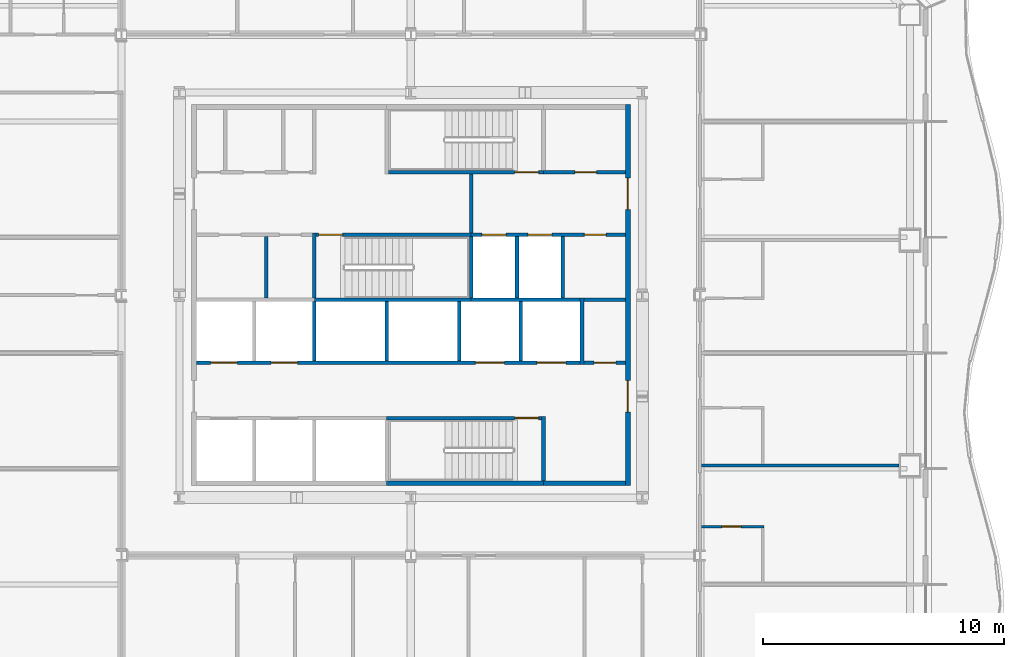
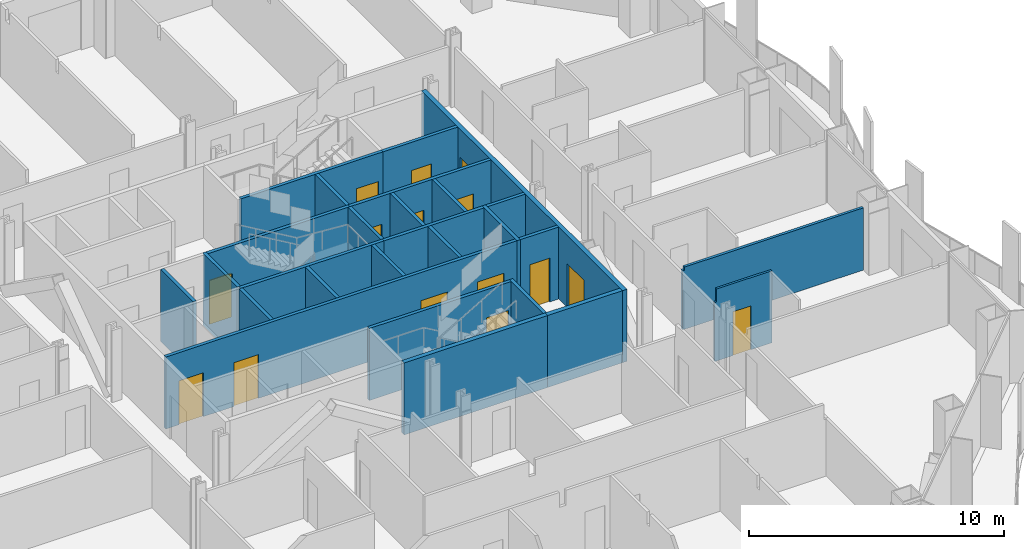
# One storey, part 10 of 18: 27 walls, 15 doors, 15 openings.
"""IFC4 building model written with IfcOpenShell, lengths in metres."""

from ifc_helpers import new_model, si_unit, direction, frame, frame_2d, origin, place, context, subcontext, project, spatial, polyline, rectangle, outline, extrude, material, layer, layer_set, type_object, element, fill, save


model = new_model("IFC4")

# Units and contexts
model_context = context("Model", 3, precision=1e-05, world=origin(), true_north=direction((0.0, 1.0)))
body_context = subcontext(model_context, "Body", "Model", "MODEL_VIEW")
ifc_project = project(units=[si_unit("LENGTHUNIT", "METRE"), si_unit("AREAUNIT", "SQUARE_METRE"), si_unit("VOLUMEUNIT", "CUBIC_METRE"), si_unit("PLANEANGLEUNIT", "RADIAN"), si_unit("MASSUNIT", "GRAM", prefix="KILO")], contexts=[model_context])

# Site, building, storey
site_placement = place(None, origin())
site = spatial("IfcSite", under=ifc_project, at=site_placement, CompositionType="ELEMENT")
building_placement = place(site_placement, origin())
building = spatial("IfcBuilding", under=site, at=building_placement, Name="Cairn Pilgrim Tower", CompositionType="ELEMENT")
storey_placement = place(building_placement, frame((0.0, 0.0, 65.39990234375)))
storey = spatial("IfcBuildingStorey", under=building, at=storey_placement, Name="L14", CompositionType="ELEMENT", Elevation=65.39990234375)

# Wall
ifc_material_1 = material(Name="Concrete C32/40", Category="concrete")
ifc_layer_1 = layer(ifc_material_1, 0.199951171875)
ifc_layer_set_1 = layer_set([ifc_layer_1], Name="CORE OUTER WALL 200 EI 120")
wall_type_1 = type_object("IfcWallType", Name="CORE OUTER WALL 200 EI 120", PredefinedType="SOLIDWALL", material=ifc_layer_set_1)
wall_1_placement = place(storey_placement, frame((12.699951171875, -5.39990234375, 0.0), z_axis=(0.0, 0.0, 1.0), x_axis=(1.0, 0.0, 0.0)))
element("IfcWall", 1, at=wall_1_placement, inside=storey, type_object=wall_type_1, Name="CW:L14:H01-3", PredefinedType="SOLIDWALL", context=body_context, shape_type="SweptSolid", body=[
    extrude(rectangle(XDim=3.400146484375, YDim=0.199951171875, at=frame_2d((1.7001953125, 0.0))), origin(), (0.0, 0.0, 1.0), 3.4501953125),
])

# Wall, openings, doors
wall_2_placement = place(storey_placement, frame((16.199951171875, -5.5, 0.0), z_axis=(0.0, 0.0, 1.0), x_axis=(0.0, 1.0, 0.0)))
wall_2 = element("IfcWall", 2, at=wall_2_placement, inside=storey, type_object=wall_type_1, Name="CW:L14:V34", PredefinedType="SOLIDWALL", context=body_context, shape_type="SweptSolid", body=[
    extrude(rectangle(XDim=15.800048828125, YDim=0.199951171875, at=frame_2d((7.89990234375, 0.0))), origin(), (0.0, 0.0, 1.0), 3.4501953125),
])
opening_1_placement = place(wall_2_placement, frame((3.050048828125, 0.0, 0.0)))
opening_1 = element("IfcOpeningElement", 3, at=opening_1_placement, cuts=wall_2, Name="Opening CD-E1", PredefinedType="OPENING", context=body_context, shape_type="SweptSolid", body=[
    extrude(rectangle(XDim=1.300048828125, YDim=2.10009765625, at=frame_2d((0.64990234375, 1.050048828125))), frame((0.0, 0.10986328125, 0.0), z_axis=(0.0, -1.0, 0.0), x_axis=(1.0, 0.0, 0.0)), (0.0, 0.0, 1.0), 0.219970703125),
])
opening_2_placement = place(wall_2_placement, frame((11.449951171875, 0.0, 0.0)))
opening_2 = element("IfcOpeningElement", 4, at=opening_2_placement, cuts=wall_2, Name="Opening CD-E2", PredefinedType="OPENING", context=body_context, shape_type="SweptSolid", body=[
    extrude(rectangle(XDim=1.300048828125, YDim=2.10009765625, at=frame_2d((0.64990234375, 1.050048828125))), frame((0.0, 0.10986328125, 0.0), z_axis=(0.0, -1.0, 0.0), x_axis=(1.0, 0.0, 0.0)), (0.0, 0.0, 1.0), 0.219970703125),
])
ifc_material_2 = material(Name="Painted steel", Category="steel")
door_type_1 = type_object("IfcDoorType", Name="CORE LOBBY DOOR 1300x2100", OperationType="DOUBLE_DOOR_SINGLE_SWING", PredefinedType="DOOR", material=ifc_material_2)
door_1_placement = place(opening_1_placement, origin())
door_1 = element("IfcDoor", 5, at=door_1_placement, inside=storey, type_object=door_type_1, Name="CD-E1", OperationType="DOUBLE_DOOR_SINGLE_SWING", OverallHeight=2.10009765625, OverallWidth=1.300048828125, PredefinedType="DOOR", context=body_context, shape_type="SweptSolid", body=[
    extrude(rectangle(XDim=1.300048828125, YDim=2.10009765625, at=frame_2d((0.64990234375, 1.050048828125))), frame((0.0, 0.02490234375, 0.0), z_axis=(0.0, -1.0, 0.0), x_axis=(1.0, 0.0, 0.0)), (0.0, 0.0, 1.0), 0.050048828125),
])
fill(opening_1, door_1)
door_2_placement = place(opening_2_placement, origin())
door_2 = element("IfcDoor", 6, at=door_2_placement, inside=storey, type_object=door_type_1, Name="CD-E2", OperationType="DOUBLE_DOOR_SINGLE_SWING", OverallHeight=2.10009765625, OverallWidth=1.300048828125, PredefinedType="DOOR", context=body_context, shape_type="SweptSolid", body=[
    extrude(rectangle(XDim=1.300048828125, YDim=2.10009765625, at=frame_2d((0.64990234375, 1.050048828125))), frame((0.0, 0.02490234375, 0.0), z_axis=(0.0, -1.0, 0.0), x_axis=(1.0, 0.0, 0.0)), (0.0, 0.0, 1.0), 0.050048828125),
])
fill(opening_2, door_2)

# Wall, opening, door
ifc_layer_2 = layer(ifc_material_1, 0.14990234375)
ifc_layer_set_2 = layer_set([ifc_layer_2], Name="CORE PARTITION 150 EI 60")
wall_type_2 = type_object("IfcWallType", Name="CORE PARTITION 150 EI 60", PredefinedType="PARTITIONING", material=ifc_layer_set_2)
wall_3_placement = place(storey_placement, frame((14.375, -0.39990234375, 0.0), z_axis=(0.0, 0.0, 1.0), x_axis=(1.0, 0.0, 0.0)))
wall_3 = element("IfcWall", 7, at=wall_3_placement, inside=storey, type_object=wall_type_2, Name="CW:L14:H04", PredefinedType="PARTITIONING", context=body_context, shape_type="SweptSolid", body=[
    extrude(rectangle(XDim=1.72509765625, YDim=0.14990234375, at=frame_2d((0.862548828125, 0.0))), origin(), (0.0, 0.0, 1.0), 3.4501953125),
])
opening_3_placement = place(wall_3_placement, frame((0.425048828125, 0.0, 0.0)))
opening_3 = element("IfcOpeningElement", 8, at=opening_3_placement, cuts=wall_3, Name="Opening RD-R2E", PredefinedType="OPENING", context=body_context, shape_type="SweptSolid", body=[
    extrude(rectangle(XDim=0.89990234375, YDim=2.10009765625, at=frame_2d((0.449951171875, 1.050048828125))), frame((0.0, 0.0849609375, 0.0), z_axis=(0.0, -1.0, 0.0), x_axis=(1.0, 0.0, 0.0)), (0.0, 0.0, 1.0), 0.169921875),
])
door_type_2 = type_object("IfcDoorType", Name="SERVICE ROOM DOOR 900x2100", OperationType="SINGLE_SWING_LEFT", PredefinedType="DOOR", material=ifc_material_2)
door_3_placement = place(opening_3_placement, origin())
door_3 = element("IfcDoor", 9, at=door_3_placement, inside=storey, type_object=door_type_2, Name="RD-R2E", OperationType="SINGLE_SWING_LEFT", OverallHeight=2.10009765625, OverallWidth=0.89990234375, PredefinedType="DOOR", context=body_context, shape_type="SweptSolid", body=[
    extrude(rectangle(XDim=0.89990234375, YDim=2.10009765625, at=frame_2d((0.449951171875, 1.050048828125))), frame((0.0, 0.02490234375, 0.0), z_axis=(0.0, -1.0, 0.0), x_axis=(1.0, 0.0, 0.0)), (0.0, 0.0, 1.0), 0.050048828125),
])
fill(opening_3, door_3)

# Walls
wall_4_placement = place(storey_placement, frame((14.375, 2.199951171875, 0.0), z_axis=(0.0, 0.0, 1.0), x_axis=(1.0, 0.0, 0.0)))
element("IfcWall", 10, at=wall_4_placement, inside=storey, type_object=wall_type_2, Name="CW:L14:H06", PredefinedType="PARTITIONING", context=body_context, shape_type="SweptSolid", body=[
    extrude(rectangle(XDim=1.72509765625, YDim=0.14990234375, at=frame_2d((0.862548828125, 0.0))), origin(), (0.0, 0.0, 1.0), 3.4501953125),
])
wall_5_placement = place(storey_placement, frame((1.199951171875, 2.27490234375, 0.0), z_axis=(0.0, 0.0, 1.0), x_axis=(0.0, 1.0, 0.0)))
element("IfcWall", 11, at=wall_5_placement, inside=storey, type_object=wall_type_2, Name="CW:L14:V16", PredefinedType="PARTITIONING", context=body_context, shape_type="SweptSolid", body=[
    extrude(rectangle(XDim=2.550048828125, YDim=0.14990234375, at=frame_2d((1.27490234375, 0.0))), origin(), (0.0, 0.0, 1.0), 3.4501953125),
])

# Wall, openings, doors
ifc_layer_3 = layer(ifc_material_1, 0.14990234375)
ifc_layer_set_3 = layer_set([ifc_layer_3], Name="CORE SHAFT WALL 150 EI 120")
wall_type_3 = type_object("IfcWallType", Name="CORE SHAFT WALL 150 EI 120", PredefinedType="SOLIDWALL", material=ifc_layer_set_3)
wall_6_placement = place(storey_placement, frame((-1.699951171875, -0.39990234375, 0.0), z_axis=(0.0, 0.0, 1.0), x_axis=(1.0, 0.0, 0.0)))
wall_6 = element("IfcWall", 12, at=wall_6_placement, inside=storey, type_object=wall_type_3, Name="CW:L14:H03", PredefinedType="SOLIDWALL", context=body_context, shape_type="SweptSolid", body=[
    extrude(rectangle(XDim=15.925048828125, YDim=0.14990234375, at=frame_2d((7.96240234375, 0.0))), origin(), (0.0, 0.0, 1.0), 3.4501953125),
])
opening_4_placement = place(wall_6_placement, frame((0.60009765625, 0.0, 0.0)))
opening_4 = element("IfcOpeningElement", 13, at=opening_4_placement, cuts=wall_6, Name="Opening LD-LR3", PredefinedType="OPENING", context=body_context, shape_type="SweptSolid", body=[
    extrude(rectangle(XDim=1.10009765625, YDim=2.10009765625, at=frame_2d((0.550048828125, 1.050048828125))), frame((0.0, 0.0849609375, 0.0), z_axis=(0.0, -1.0, 0.0), x_axis=(1.0, 0.0, 0.0)), (0.0, 0.0, 1.0), 0.169921875),
])
opening_5_placement = place(wall_6_placement, frame((3.10009765625, 0.0, 0.0)))
opening_5 = element("IfcOpeningElement", 14, at=opening_5_placement, cuts=wall_6, Name="Opening LD-LR4", PredefinedType="OPENING", context=body_context, shape_type="SweptSolid", body=[
    extrude(rectangle(XDim=1.10009765625, YDim=2.10009765625, at=frame_2d((0.550048828125, 1.050048828125))), frame((0.0, 0.0849609375, 0.0), z_axis=(0.0, -1.0, 0.0), x_axis=(1.0, 0.0, 0.0)), (0.0, 0.0, 1.0), 0.169921875),
])
opening_6_placement = place(wall_6_placement, frame((11.574951171875, 0.0, 0.0)))
opening_6 = element("IfcOpeningElement", 15, at=opening_6_placement, cuts=wall_6, Name="Opening LD-SV1", PredefinedType="OPENING", context=body_context, shape_type="SweptSolid", body=[
    extrude(rectangle(XDim=1.199951171875, YDim=2.10009765625, at=frame_2d((0.60009765625, 1.050048828125))), frame((0.0, 0.0849609375, 0.0), z_axis=(0.0, -1.0, 0.0), x_axis=(1.0, 0.0, 0.0)), (0.0, 0.0, 1.0), 0.169921875),
])
opening_7_placement = place(wall_6_placement, frame((14.125, 0.0, 0.0)))
opening_7 = element("IfcOpeningElement", 16, at=opening_7_placement, cuts=wall_6, Name="Opening LD-SV2", PredefinedType="OPENING", context=body_context, shape_type="SweptSolid", body=[
    extrude(rectangle(XDim=1.199951171875, YDim=2.10009765625, at=frame_2d((0.60009765625, 1.050048828125))), frame((0.0, 0.0849609375, 0.0), z_axis=(0.0, -1.0, 0.0), x_axis=(1.0, 0.0, 0.0)), (0.0, 0.0, 1.0), 0.169921875),
])
ifc_material_3 = material(Name="Stainless steel", Category="steel")
door_type_3 = type_object("IfcDoorType", Name="LIFT LANDING DOOR 1100x2100", OperationType="DOUBLE_DOOR_SLIDING", PredefinedType="DOOR", material=ifc_material_3)
door_4_placement = place(opening_4_placement, origin())
door_4 = element("IfcDoor", 17, at=door_4_placement, inside=storey, type_object=door_type_3, Name="LANDING DOOR LR3", OperationType="DOUBLE_DOOR_SLIDING", OverallHeight=2.10009765625, OverallWidth=1.10009765625, PredefinedType="DOOR", context=body_context, shape_type="SweptSolid", body=[
    extrude(rectangle(XDim=1.10009765625, YDim=2.10009765625, at=frame_2d((0.550048828125, 1.050048828125))), frame((0.0, 0.02490234375, 0.0), z_axis=(0.0, -1.0, 0.0), x_axis=(1.0, 0.0, 0.0)), (0.0, 0.0, 1.0), 0.050048828125),
])
fill(opening_4, door_4)
door_5_placement = place(opening_5_placement, origin())
door_5 = element("IfcDoor", 18, at=door_5_placement, inside=storey, type_object=door_type_3, Name="LANDING DOOR LR4", OperationType="DOUBLE_DOOR_SLIDING", OverallHeight=2.10009765625, OverallWidth=1.10009765625, PredefinedType="DOOR", context=body_context, shape_type="SweptSolid", body=[
    extrude(rectangle(XDim=1.10009765625, YDim=2.10009765625, at=frame_2d((0.550048828125, 1.050048828125))), frame((0.0, 0.02490234375, 0.0), z_axis=(0.0, -1.0, 0.0), x_axis=(1.0, 0.0, 0.0)), (0.0, 0.0, 1.0), 0.050048828125),
])
fill(opening_5, door_5)
door_type_4 = type_object("IfcDoorType", Name="LIFT LANDING DOOR 1200x2100", OperationType="DOUBLE_DOOR_SLIDING", PredefinedType="DOOR", material=ifc_material_3)
door_6_placement = place(opening_6_placement, origin())
door_6 = element("IfcDoor", 19, at=door_6_placement, inside=storey, type_object=door_type_4, Name="LANDING DOOR SV1", OperationType="DOUBLE_DOOR_SLIDING", OverallHeight=2.10009765625, OverallWidth=1.199951171875, PredefinedType="DOOR", context=body_context, shape_type="SweptSolid", body=[
    extrude(rectangle(XDim=1.199951171875, YDim=2.10009765625, at=frame_2d((0.60009765625, 1.050048828125))), frame((0.0, 0.02490234375, 0.0), z_axis=(0.0, -1.0, 0.0), x_axis=(1.0, 0.0, 0.0)), (0.0, 0.0, 1.0), 0.050048828125),
])
fill(opening_6, door_6)
door_7_placement = place(opening_7_placement, origin())
door_7 = element("IfcDoor", 20, at=door_7_placement, inside=storey, type_object=door_type_4, Name="LANDING DOOR SV2", OperationType="DOUBLE_DOOR_SLIDING", OverallHeight=2.10009765625, OverallWidth=1.199951171875, PredefinedType="DOOR", context=body_context, shape_type="SweptSolid", body=[
    extrude(rectangle(XDim=1.199951171875, YDim=2.10009765625, at=frame_2d((0.60009765625, 1.050048828125))), frame((0.0, 0.02490234375, 0.0), z_axis=(0.0, -1.0, 0.0), x_axis=(1.0, 0.0, 0.0)), (0.0, 0.0, 1.0), 0.050048828125),
])
fill(opening_7, door_7)

# Wall
wall_7_placement = place(storey_placement, frame((9.699951171875, 2.199951171875, 0.0), z_axis=(0.0, 0.0, 1.0), x_axis=(1.0, 0.0, 0.0)))
element("IfcWall", 21, at=wall_7_placement, inside=storey, type_object=wall_type_3, Name="CW:L14:H05-3", PredefinedType="SOLIDWALL", context=body_context, shape_type="SweptSolid", body=[
    extrude(rectangle(XDim=4.525146484375, YDim=0.14990234375, at=frame_2d((2.2626953125, 0.0))), origin(), (0.0, 0.0, 1.0), 3.4501953125),
])

# Wall, openings, doors
wall_8_placement = place(storey_placement, frame((9.699951171875, 4.89990234375, 0.0), z_axis=(0.0, 0.0, 1.0), x_axis=(1.0, 0.0, 0.0)))
wall_8 = element("IfcWall", 22, at=wall_8_placement, inside=storey, type_object=wall_type_3, Name="CW:L14:H08-2", PredefinedType="SOLIDWALL", context=body_context, shape_type="SweptSolid", body=[
    extrude(rectangle(XDim=6.400146484375, YDim=0.14990234375, at=frame_2d((3.2001953125, 0.0))), origin(), (0.0, 0.0, 1.0), 3.4501953125),
])
opening_8_placement = place(wall_8_placement, frame((0.449951171875, 0.0, 0.0)))
opening_8 = element("IfcOpeningElement", 23, at=opening_8_placement, cuts=wall_8, Name="Opening LD-FF1", PredefinedType="OPENING", context=body_context, shape_type="SweptSolid", body=[
    extrude(rectangle(XDim=1.0, YDim=2.10009765625, at=frame_2d((0.5, 1.050048828125))), frame((0.0, 0.0849609375, 0.0), z_axis=(0.0, -1.0, 0.0), x_axis=(1.0, 0.0, 0.0)), (0.0, 0.0, 1.0), 0.169921875),
])
opening_9_placement = place(wall_8_placement, frame((2.35009765625, 0.0, 0.0)))
opening_9 = element("IfcOpeningElement", 24, at=opening_9_placement, cuts=wall_8, Name="Opening LD-FF2", PredefinedType="OPENING", context=body_context, shape_type="SweptSolid", body=[
    extrude(rectangle(XDim=1.0, YDim=2.10009765625, at=frame_2d((0.5, 1.050048828125))), frame((0.0, 0.0849609375, 0.0), z_axis=(0.0, -1.0, 0.0), x_axis=(1.0, 0.0, 0.0)), (0.0, 0.0, 1.0), 0.169921875),
])
opening_10_placement = place(wall_8_placement, frame((4.699951171875, 0.0, 0.0)))
opening_10 = element("IfcOpeningElement", 25, at=opening_10_placement, cuts=wall_8, Name="Opening RD-R3E", PredefinedType="OPENING", context=body_context, shape_type="SweptSolid", body=[
    extrude(rectangle(XDim=0.89990234375, YDim=2.10009765625, at=frame_2d((0.449951171875, 1.050048828125))), frame((0.0, 0.0849609375, 0.0), z_axis=(0.0, -1.0, 0.0), x_axis=(1.0, 0.0, 0.0)), (0.0, 0.0, 1.0), 0.169921875),
])
door_type_5 = type_object("IfcDoorType", Name="LIFT LANDING DOOR FIRE 1000x2100", OperationType="DOUBLE_DOOR_SLIDING", PredefinedType="DOOR", material=ifc_material_3)
door_8_placement = place(opening_8_placement, origin())
door_8 = element("IfcDoor", 26, at=door_8_placement, inside=storey, type_object=door_type_5, Name="LANDING DOOR FF1", OperationType="DOUBLE_DOOR_SLIDING", OverallHeight=2.10009765625, OverallWidth=1.0, PredefinedType="DOOR", context=body_context, shape_type="SweptSolid", body=[
    extrude(rectangle(XDim=1.0, YDim=2.10009765625, at=frame_2d((0.5, 1.050048828125))), frame((0.0, 0.02490234375, 0.0), z_axis=(0.0, -1.0, 0.0), x_axis=(1.0, 0.0, 0.0)), (0.0, 0.0, 1.0), 0.050048828125),
])
fill(opening_8, door_8)
door_9_placement = place(opening_9_placement, origin())
door_9 = element("IfcDoor", 27, at=door_9_placement, inside=storey, type_object=door_type_5, Name="LANDING DOOR FF2", OperationType="DOUBLE_DOOR_SLIDING", OverallHeight=2.10009765625, OverallWidth=1.0, PredefinedType="DOOR", context=body_context, shape_type="SweptSolid", body=[
    extrude(rectangle(XDim=1.0, YDim=2.10009765625, at=frame_2d((0.5, 1.050048828125))), frame((0.0, 0.02490234375, 0.0), z_axis=(0.0, -1.0, 0.0), x_axis=(1.0, 0.0, 0.0)), (0.0, 0.0, 1.0), 0.050048828125),
])
fill(opening_9, door_9)
door_10_placement = place(opening_10_placement, origin())
door_10 = element("IfcDoor", 28, at=door_10_placement, inside=storey, type_object=door_type_2, Name="RD-R3E", OperationType="SINGLE_SWING_RIGHT", OverallHeight=2.10009765625, OverallWidth=0.89990234375, PredefinedType="DOOR", context=body_context, shape_type="SweptSolid", body=[
    extrude(rectangle(XDim=0.89990234375, YDim=2.10009765625, at=frame_2d((0.449951171875, 1.050048828125))), frame((0.0, 0.02490234375, 0.0), z_axis=(0.0, -1.0, 0.0), x_axis=(1.0, 0.0, 0.0)), (0.0, 0.0, 1.0), 0.050048828125),
])
fill(opening_10, door_10)

# Wall, opening, door
wall_9_placement = place(storey_placement, frame((12.699951171875, 7.5, 0.0), z_axis=(0.0, 0.0, 1.0), x_axis=(1.0, 0.0, 0.0)))
wall_9 = element("IfcWall", 29, at=wall_9_placement, inside=storey, type_object=wall_type_3, Name="CW:L14:H10-2", PredefinedType="SOLIDWALL", context=body_context, shape_type="SweptSolid", body=[
    extrude(rectangle(XDim=3.400146484375, YDim=0.14990234375, at=frame_2d((1.7001953125, 0.0))), origin(), (0.0, 0.0, 1.0), 3.4501953125),
])
opening_11_placement = place(wall_9_placement, frame((1.300048828125, 0.0, 0.0)))
opening_11 = element("IfcOpeningElement", 30, at=opening_11_placement, cuts=wall_9, Name="Opening RD-R4E", PredefinedType="OPENING", context=body_context, shape_type="SweptSolid", body=[
    extrude(rectangle(XDim=0.89990234375, YDim=2.10009765625, at=frame_2d((0.449951171875, 1.050048828125))), frame((0.0, 0.0849609375, 0.0), z_axis=(0.0, -1.0, 0.0), x_axis=(1.0, 0.0, 0.0)), (0.0, 0.0, 1.0), 0.169921875),
])
door_11_placement = place(opening_11_placement, origin())
door_11 = element("IfcDoor", 31, at=door_11_placement, inside=storey, type_object=door_type_2, Name="RD-R4E", OperationType="SINGLE_SWING_LEFT", OverallHeight=2.10009765625, OverallWidth=0.89990234375, PredefinedType="DOOR", context=body_context, shape_type="SweptSolid", body=[
    extrude(rectangle(XDim=0.89990234375, YDim=2.10009765625, at=frame_2d((0.449951171875, 1.050048828125))), frame((0.0, 0.02490234375, 0.0), z_axis=(0.0, -1.0, 0.0), x_axis=(1.0, 0.0, 0.0)), (0.0, 0.0, 1.0), 0.050048828125),
])
fill(opening_11, door_11)

# Walls
for number, where, z_axis, x_axis, name in (
    (32, (3.199951171875, -0.324951171875, 0.0), (0.0, 0.0, 1.0), (0.0, 1.0, 0.0), "CW:L14:V19"),
    (33, (6.199951171875, -0.324951171875, 0.0), (0.0, 0.0, 1.0), (0.0, 1.0, 0.0), "CW:L14:V23"),
    (34, (9.199951171875, -0.324951171875, 0.0), (0.0, 0.0, 1.0), (0.0, 1.0, 0.0), "CW:L14:V25"),
    (35, (9.699951171875, 4.97509765625, 0.0), (0.0, 0.0, 1.0), (0.0, 1.0, 0.0), "CW:L14:V27"),
):
    element("IfcWall", number, at=place(storey_placement, frame(where, z_axis=z_axis, x_axis=x_axis)), inside=storey, type_object=wall_type_3, Name=name, PredefinedType="SOLIDWALL", context=body_context, shape_type="SweptSolid", body=[
        extrude(rectangle(XDim=2.449951171875, YDim=0.14990234375, at=frame_2d((1.22509765625, 0.0))), origin(), (0.0, 0.0, 1.0), 3.4501953125),
    ])
wall_10_placement = place(storey_placement, frame((11.60009765625, 2.27490234375, 0.0), z_axis=(0.0, 0.0, 1.0), x_axis=(0.0, 1.0, 0.0)))
element("IfcWall", 36, at=wall_10_placement, inside=storey, type_object=wall_type_3, Name="CW:L14:V28", PredefinedType="SOLIDWALL", context=body_context, shape_type="SweptSolid", body=[
    extrude(rectangle(XDim=2.550048828125, YDim=0.14990234375, at=frame_2d((1.27490234375, 0.0))), origin(), (0.0, 0.0, 1.0), 3.4501953125),
])
wall_11_placement = place(storey_placement, frame((11.75, -0.324951171875, 0.0), z_axis=(0.0, 0.0, 1.0), x_axis=(0.0, 1.0, 0.0)))
element("IfcWall", 37, at=wall_11_placement, inside=storey, type_object=wall_type_3, Name="CW:L14:V29", PredefinedType="SOLIDWALL", context=body_context, shape_type="SweptSolid", body=[
    extrude(rectangle(XDim=2.449951171875, YDim=0.14990234375, at=frame_2d((1.22509765625, 0.0))), origin(), (0.0, 0.0, 1.0), 3.4501953125),
])
wall_12_placement = place(storey_placement, frame((13.5, 2.27490234375, 0.0), z_axis=(0.0, 0.0, 1.0), x_axis=(0.0, 1.0, 0.0)))
element("IfcWall", 38, at=wall_12_placement, inside=storey, type_object=wall_type_3, Name="CW:L14:V32", PredefinedType="SOLIDWALL", context=body_context, shape_type="SweptSolid", body=[
    extrude(rectangle(XDim=2.550048828125, YDim=0.14990234375, at=frame_2d((1.27490234375, 0.0))), origin(), (0.0, 0.0, 1.0), 3.4501953125),
])
wall_13_placement = place(storey_placement, frame((14.300048828125, -0.47509765625, 0.0), z_axis=(0.0, 0.0, 1.0), x_axis=(0.0, 1.0, 0.0)))
element("IfcWall", 39, at=wall_13_placement, inside=storey, type_object=wall_type_3, Name="CW:L14:V33", PredefinedType="SOLIDWALL", context=body_context, shape_type="SweptSolid", body=[
    extrude(rectangle(XDim=2.75, YDim=0.14990234375, at=frame_2d((1.375, 0.0))), origin(), (0.0, 0.0, 1.0), 3.4501953125),
])

# Wall, opening, door
ifc_material_4 = material(Name="Gypsum partition")
ifc_layer_4 = layer(ifc_material_4, 0.10009765625)
ifc_layer_set_4 = layer_set([ifc_layer_4], Name="PARTITION 100 DRYWALL")
wall_type_4 = type_object("IfcWallType", Name="PARTITION 100 DRYWALL", PredefinedType="PARTITIONING", material=ifc_layer_set_4)
wall_14_placement = place(storey_placement, frame((19.262451171875, -7.199951171875, 0.0), z_axis=(0.0, 0.0, 1.0), x_axis=(1.0, 0.0, 0.0)))
wall_14 = element("IfcWall", 40, at=wall_14_placement, inside=storey, type_object=wall_type_4, Name="PARTITION W035", PredefinedType="PARTITIONING", context=body_context, shape_type="SweptSolid", body=[
    extrude(outline(polyline([(0.0, 0.0), (2.587646484375, 0.0), (2.58740234375, 3.4501953125), (0.08740234375, 3.4501953125), (0.08544921875, 2.830078125), (0.0, 2.830078125), (0.0, 0.0)])), frame((0.0, 0.050048828125, 0.0), z_axis=(0.0, -1.0, 0.0), x_axis=(1.0, 0.0, 0.0)), (0.0, 0.0, 1.0), 0.10009765625),
])
opening_12_placement = place(wall_14_placement, frame((0.83740234375, 0.0, 0.0)))
opening_12 = element("IfcOpeningElement", 41, at=opening_12_placement, cuts=wall_14, Name="Opening 1424E", PredefinedType="OPENING", context=body_context, shape_type="SweptSolid", body=[
    extrude(rectangle(XDim=0.800048828125, YDim=2.10009765625, at=frame_2d((0.39990234375, 1.050048828125))), frame((0.0, 0.06005859375, 0.0), z_axis=(0.0, -1.0, 0.0), x_axis=(1.0, 0.0, 0.0)), (0.0, 0.0, 1.0), 0.1201171875),
])
ifc_material_5 = material(Name="Timber door leaf", Category="wood")
door_type_6 = type_object("IfcDoorType", Name="DOOR 800x2100", OperationType="NOTDEFINED", PredefinedType="DOOR", material=ifc_material_5)
door_12_placement = place(opening_12_placement, frame((0.800048828125, 0.0, 0.0), z_axis=(0.0, 0.0, 1.0), x_axis=(-1.0, 0.0, 0.0)))
door_12 = element("IfcDoor", 42, at=door_12_placement, inside=storey, type_object=door_type_6, Name="DOOR 1424E", OperationType="SINGLE_SWING_RIGHT", OverallHeight=2.10009765625, OverallWidth=0.800048828125, PredefinedType="DOOR", context=body_context, shape_type="SweptSolid", body=[
    extrude(rectangle(XDim=0.800048828125, YDim=2.10009765625, at=frame_2d((0.39990234375, 1.050048828125))), frame((0.0, 0.02490234375, 0.0), z_axis=(0.0, -1.0, 0.0), x_axis=(1.0, 0.0, 0.0)), (0.0, 0.0, 1.0), 0.050048828125),
])
fill(opening_12, door_12)

# Wall
ifc_layer_5 = layer(ifc_material_4, 0.125)
ifc_layer_set_5 = layer_set([ifc_layer_5], Name="PARTITION 125 DRYWALL EI 60")
wall_type_5 = type_object("IfcWallType", Name="PARTITION 125 DRYWALL EI 60", PredefinedType="PARTITIONING", material=ifc_layer_set_5)
wall_15_placement = place(storey_placement, frame((19.262451171875, -4.676025390625, 0.0), z_axis=(0.0, 0.0, 1.0), x_axis=(1.0, 0.0, 0.0)))
element("IfcWall", 43, at=wall_15_placement, inside=storey, type_object=wall_type_5, Name="PARTITION W039", PredefinedType="PARTITIONING", context=body_context, shape_type="SweptSolid", body=[
    extrude(outline(polyline([(0.0, 0.0), (8.1875, 0.0), (8.1875, 2.97998046875), (0.08740234375, 2.97998046875), (0.08544921875, 2.830078125), (0.0, 2.830078125), (0.0, 0.0)])), frame((0.0, 0.0625, 0.0), z_axis=(0.0, -1.0, 0.0), x_axis=(1.0, 0.0, 0.0)), (0.0, 0.0, 1.0), 0.125),
])

# Wall, opening, door
ifc_material_6 = material(Name="Concrete C35/45", Category="concrete")
ifc_layer_6 = layer(ifc_material_6, 0.14990234375)
ifc_layer_set_6 = layer_set([ifc_layer_6], Name="STAIR SHAFT WALL 150 EI 120")
wall_type_6 = type_object("IfcWallType", Name="STAIR SHAFT WALL 150 EI 120", PredefinedType="SOLIDWALL", material=ifc_layer_set_6)
wall_16_placement = place(storey_placement, frame((6.199951171875, -2.699951171875, 0.0), z_axis=(0.0, 0.0, 1.0), x_axis=(1.0, 0.0, 0.0)))
wall_16 = element("IfcWall", 44, at=wall_16_placement, inside=storey, type_object=wall_type_6, Name="CW:L14:H02-2", PredefinedType="SOLIDWALL", context=body_context, shape_type="SweptSolid", body=[
    extrude(rectangle(XDim=6.425048828125, YDim=0.14990234375, at=frame_2d((3.21240234375, 0.0))), origin(), (0.0, 0.0, 1.0), 3.4501953125),
])
opening_13_placement = place(wall_16_placement, frame((5.300048828125, 0.0, 0.0)))
opening_13 = element("IfcOpeningElement", 45, at=opening_13_placement, cuts=wall_16, Name="Opening SD-A", PredefinedType="OPENING", context=body_context, shape_type="SweptSolid", body=[
    extrude(rectangle(XDim=1.0, YDim=2.10009765625, at=frame_2d((0.5, 1.050048828125))), frame((0.0, 0.0849609375, 0.0), z_axis=(0.0, -1.0, 0.0), x_axis=(1.0, 0.0, 0.0)), (0.0, 0.0, 1.0), 0.169921875),
])
door_type_7 = type_object("IfcDoorType", Name="STAIR DOOR FD60S 1000x2100", OperationType="SINGLE_SWING_LEFT", PredefinedType="DOOR", material=ifc_material_2)
door_13_placement = place(opening_13_placement, origin())
door_13 = element("IfcDoor", 46, at=door_13_placement, inside=storey, type_object=door_type_7, Name="SD-A", OperationType="SINGLE_SWING_RIGHT", OverallHeight=2.10009765625, OverallWidth=1.0, PredefinedType="DOOR", context=body_context, shape_type="SweptSolid", body=[
    extrude(rectangle(XDim=1.0, YDim=2.10009765625, at=frame_2d((0.5, 1.050048828125))), frame((0.0, 0.02490234375, 0.0), z_axis=(0.0, -1.0, 0.0), x_axis=(1.0, 0.0, 0.0)), (0.0, 0.0, 1.0), 0.050048828125),
])
fill(opening_13, door_13)

# Wall
wall_17_placement = place(storey_placement, frame((3.199951171875, 2.199951171875, 0.0), z_axis=(0.0, 0.0, 1.0), x_axis=(1.0, 0.0, 0.0)))
element("IfcWall", 47, at=wall_17_placement, inside=storey, type_object=wall_type_6, Name="CW:L14:H05-2", PredefinedType="SOLIDWALL", context=body_context, shape_type="SweptSolid", body=[
    extrude(rectangle(XDim=6.5, YDim=0.14990234375, at=frame_2d((3.25, 0.0))), origin(), (0.0, 0.0, 1.0), 3.4501953125),
])

# Wall, opening, door
wall_18_placement = place(storey_placement, frame((3.27490234375, 4.89990234375, 0.0), z_axis=(0.0, 0.0, 1.0), x_axis=(1.0, 0.0, 0.0)))
wall_18 = element("IfcWall", 48, at=wall_18_placement, inside=storey, type_object=wall_type_6, Name="CW:L14:H08-1", PredefinedType="SOLIDWALL", context=body_context, shape_type="SweptSolid", body=[
    extrude(rectangle(XDim=6.425048828125, YDim=0.14990234375, at=frame_2d((3.21240234375, 0.0))), origin(), (0.0, 0.0, 1.0), 3.4501953125),
])
opening_14_placement = place(wall_18_placement, frame((0.10009765625, 0.0, 0.0)))
opening_14 = element("IfcOpeningElement", 49, at=opening_14_placement, cuts=wall_18, Name="Opening SD-B", PredefinedType="OPENING", context=body_context, shape_type="SweptSolid", body=[
    extrude(rectangle(XDim=1.0, YDim=2.10009765625, at=frame_2d((0.5, 1.050048828125))), frame((0.0, 0.0849609375, 0.0), z_axis=(0.0, -1.0, 0.0), x_axis=(1.0, 0.0, 0.0)), (0.0, 0.0, 1.0), 0.169921875),
])
door_14_placement = place(opening_14_placement, origin())
door_14 = element("IfcDoor", 50, at=door_14_placement, inside=storey, type_object=door_type_7, Name="SD-B", OperationType="SINGLE_SWING_LEFT", OverallHeight=2.10009765625, OverallWidth=1.0, PredefinedType="DOOR", context=body_context, shape_type="SweptSolid", body=[
    extrude(rectangle(XDim=1.0, YDim=2.10009765625, at=frame_2d((0.5, 1.050048828125))), frame((0.0, 0.02490234375, 0.0), z_axis=(0.0, -1.0, 0.0), x_axis=(1.0, 0.0, 0.0)), (0.0, 0.0, 1.0), 0.050048828125),
])
fill(opening_14, door_14)

wall_19_placement = place(storey_placement, frame((6.27490234375, 7.5, 0.0), z_axis=(0.0, 0.0, 1.0), x_axis=(1.0, 0.0, 0.0)))
wall_19 = element("IfcWall", 51, at=wall_19_placement, inside=storey, type_object=wall_type_6, Name="CW:L14:H10-1", PredefinedType="SOLIDWALL", context=body_context, shape_type="SweptSolid", body=[
    extrude(rectangle(XDim=6.425048828125, YDim=0.14990234375, at=frame_2d((3.21240234375, 0.0))), origin(), (0.0, 0.0, 1.0), 3.4501953125),
])
opening_15_placement = place(wall_19_placement, frame((5.22509765625, 0.0, 0.0)))
opening_15 = element("IfcOpeningElement", 52, at=opening_15_placement, cuts=wall_19, Name="Opening SD-C", PredefinedType="OPENING", context=body_context, shape_type="SweptSolid", body=[
    extrude(rectangle(XDim=1.0, YDim=2.10009765625, at=frame_2d((0.5, 1.050048828125))), frame((0.0, 0.0849609375, 0.0), z_axis=(0.0, -1.0, 0.0), x_axis=(1.0, 0.0, 0.0)), (0.0, 0.0, 1.0), 0.169921875),
])
door_15_placement = place(opening_15_placement, origin())
door_15 = element("IfcDoor", 53, at=door_15_placement, inside=storey, type_object=door_type_7, Name="SD-C", OperationType="SINGLE_SWING_RIGHT", OverallHeight=2.10009765625, OverallWidth=1.0, PredefinedType="DOOR", context=body_context, shape_type="SweptSolid", body=[
    extrude(rectangle(XDim=1.0, YDim=2.10009765625, at=frame_2d((0.5, 1.050048828125))), frame((0.0, 0.02490234375, 0.0), z_axis=(0.0, -1.0, 0.0), x_axis=(1.0, 0.0, 0.0)), (0.0, 0.0, 1.0), 0.050048828125),
])
fill(opening_15, door_15)

# Walls
wall_20_placement = place(storey_placement, frame((3.199951171875, 2.27490234375, 0.0), z_axis=(0.0, 0.0, 1.0), x_axis=(0.0, 1.0, 0.0)))
element("IfcWall", 54, at=wall_20_placement, inside=storey, type_object=wall_type_6, Name="CW:L14:V20", PredefinedType="SOLIDWALL", context=body_context, shape_type="SweptSolid", body=[
    extrude(rectangle(XDim=2.7001953125, YDim=0.14990234375, at=frame_2d((1.35009765625, 0.0))), origin(), (0.0, 0.0, 1.0), 3.4501953125),
])
wall_21_placement = place(storey_placement, frame((9.699951171875, 2.27490234375, 0.0), z_axis=(0.0, 0.0, 1.0), x_axis=(0.0, 1.0, 0.0)))
element("IfcWall", 55, at=wall_21_placement, inside=storey, type_object=wall_type_6, Name="CW:L14:V26", PredefinedType="SOLIDWALL", context=body_context, shape_type="SweptSolid", body=[
    extrude(rectangle(XDim=2.550048828125, YDim=0.14990234375, at=frame_2d((1.27490234375, 0.0))), origin(), (0.0, 0.0, 1.0), 3.4501953125),
])
wall_22_placement = place(storey_placement, frame((12.699951171875, -5.300048828125, 0.0), z_axis=(0.0, 0.0, 1.0), x_axis=(0.0, 1.0, 0.0)))
element("IfcWall", 56, at=wall_22_placement, inside=storey, type_object=wall_type_6, Name="CW:L14:V30", PredefinedType="SOLIDWALL", context=body_context, shape_type="SweptSolid", body=[
    extrude(rectangle(XDim=2.675048828125, YDim=0.14990234375, at=frame_2d((1.33740234375, 0.0))), origin(), (0.0, 0.0, 1.0), 3.4501953125),
])
ifc_layer_7 = layer(ifc_material_6, 0.199951171875)
ifc_layer_set_7 = layer_set([ifc_layer_7], Name="STAIR SHAFT WALL 200 EI 120")
wall_type_7 = type_object("IfcWallType", Name="STAIR SHAFT WALL 200 EI 120", PredefinedType="SOLIDWALL", material=ifc_layer_set_7)
wall_23_placement = place(storey_placement, frame((6.199951171875, -5.39990234375, 0.0), z_axis=(0.0, 0.0, 1.0), x_axis=(1.0, 0.0, 0.0)))
element("IfcWall", 57, at=wall_23_placement, inside=storey, type_object=wall_type_7, Name="CW:L14:H01-2", PredefinedType="SOLIDWALL", context=body_context, shape_type="SweptSolid", body=[
    extrude(rectangle(XDim=6.5, YDim=0.199951171875, at=frame_2d((3.25, 0.0))), origin(), (0.0, 0.0, 1.0), 3.4501953125),
])

save(model, "model.ifc")
